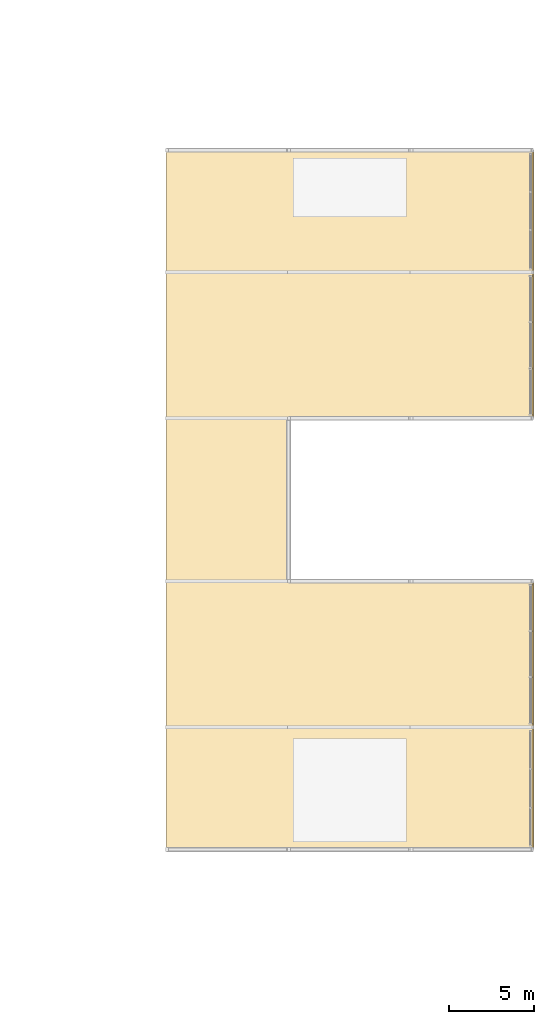
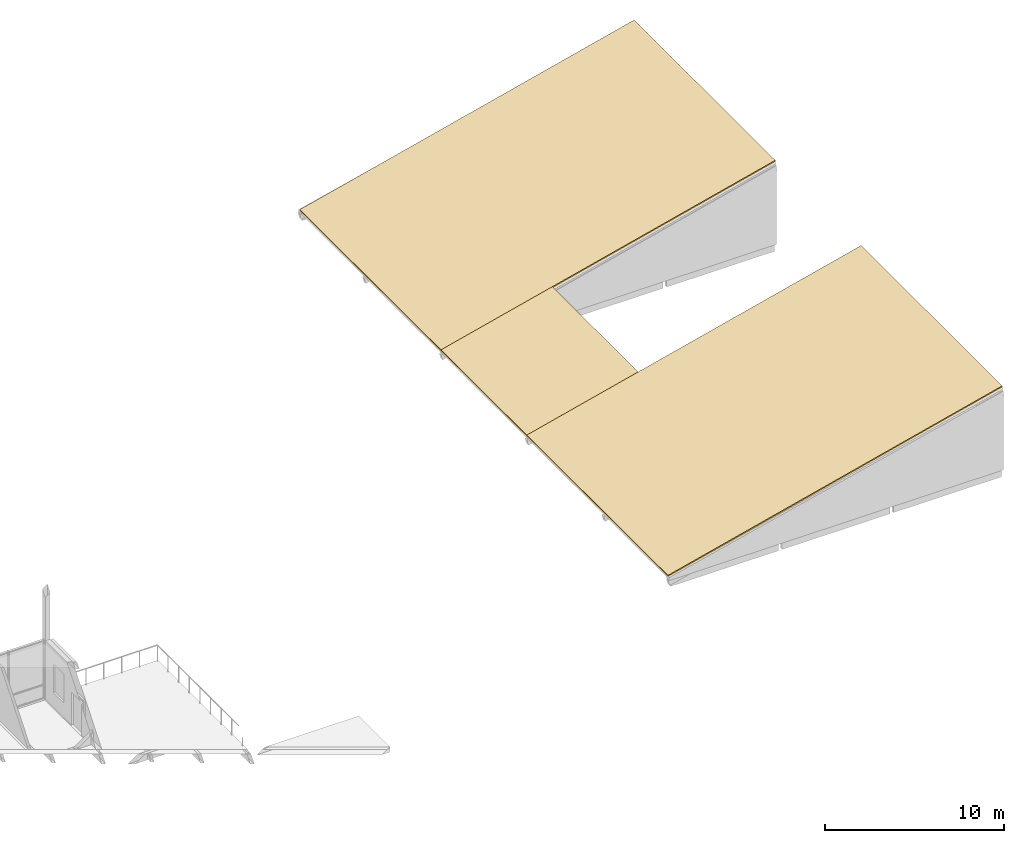
# One storey, part 57 of 57: 3 coverings.
"""IFC4 building model written with IfcOpenShell, lengths in metres."""

from ifc_helpers import new_model, si_unit, direction, frame, origin, place, context, subcontext, project, spatial, polyline, outline, extrude, material, layer, layer_set, type_object, element, save


model = new_model("IFC4")

# Units and contexts
model_context = context("Model", 3, precision=1e-05, world=origin(), true_north=direction((0.0, 1.0)))
body_context = subcontext(model_context, "Body", "Model", "MODEL_VIEW")
ifc_project = project(units=[si_unit("LENGTHUNIT", "METRE"), si_unit("AREAUNIT", "SQUARE_METRE"), si_unit("VOLUMEUNIT", "CUBIC_METRE"), si_unit("PLANEANGLEUNIT", "RADIAN"), si_unit("MASSUNIT", "GRAM", prefix="KILO")], contexts=[model_context])

# Site, building, storey
site_placement = place(None, origin())
site = spatial("IfcSite", under=ifc_project, at=site_placement, CompositionType="ELEMENT")
building_placement = place(site_placement, origin())
building = spatial("IfcBuilding", under=site, at=building_placement, Name="Hawrajan Terrace Health Centre", CompositionType="ELEMENT")
storey_placement = place(building_placement, frame((0.0, 0.0, 13.199951171875)))
storey = spatial("IfcBuildingStorey", under=building, at=storey_placement, Name="L03", CompositionType="ELEMENT", Elevation=13.199951171875)

# Coverings
ifc_material = material(Name="Standing-seam aluminium-zinc roofing", Category="aluminium")
ifc_layer = layer(ifc_material, 0.074951171875)
ifc_layer_set = layer_set([ifc_layer], Name="Standing-seam aluminium-zinc roofing")
covering_type = type_object("IfcCoveringType", Name="AcousticTimberDeck_Roofing", PredefinedType="ROOFING", material=ifc_layer_set)
covering_1_placement = place(storey_placement, frame((143.800048828125, 11.39990234375, 0.074951171875), z_axis=(-0.24192399787, 0.0, 0.970295202119), x_axis=(0.970295202119, 0.0, 0.24192399787)))
element("IfcCovering", 1, at=covering_1_placement, inside=storey, type_object=covering_type, Name="Therapy Pavilion standing-seam roof SOUTH", PredefinedType="ROOFING", context=body_context, shape_type="SweptSolid", body=[
    extrude(outline(polyline([(0.0, 0.0), (22.261115450699055, 0.0), (22.261115450699055, 15.800048828125), (0.0, 15.800048828125), (0.0, 0.0)])), origin(), (0.0, 0.0, -1.0), 0.074951171875),
])
covering_2_placement = place(storey_placement, frame((143.800048828125, 27.199951171875, 0.074951171875), z_axis=(-0.241954973273, 0.0, 0.970287478487), x_axis=(0.970287478487, 0.0, 0.241954973273)))
element("IfcCovering", 2, at=covering_2_placement, inside=storey, type_object=covering_type, Name="Therapy Pavilion standing-seam roof WEST", PredefinedType="ROOFING", context=body_context, shape_type="SweptSolid", body=[
    extrude(outline(polyline([(0.0, 0.0), (7.420430884156919, 0.0), (7.420430884156919, 9.600097656250002), (0.0, 9.600097656250002), (0.0, 0.0)])), origin(), (0.0, 0.0, -1.0), 0.074951171875),
])
covering_3_placement = place(storey_placement, frame((143.800048828125, 36.800048828125, 0.074951171875), z_axis=(-0.24192399787, 0.0, 0.970295202119), x_axis=(0.970295202119, 0.0, 0.24192399787)))
element("IfcCovering", 3, at=covering_3_placement, inside=storey, type_object=covering_type, Name="Therapy Pavilion standing-seam roof NORTH", PredefinedType="ROOFING", context=body_context, shape_type="SweptSolid", body=[
    extrude(outline(polyline([(0.0, 0.0), (22.261115450699055, 0.0), (22.261115450699055, 15.800048828125), (0.0, 15.800048828125), (0.0, 0.0)])), origin(), (0.0, 0.0, -1.0), 0.074951171875),
])

save(model, "model.ifc")
